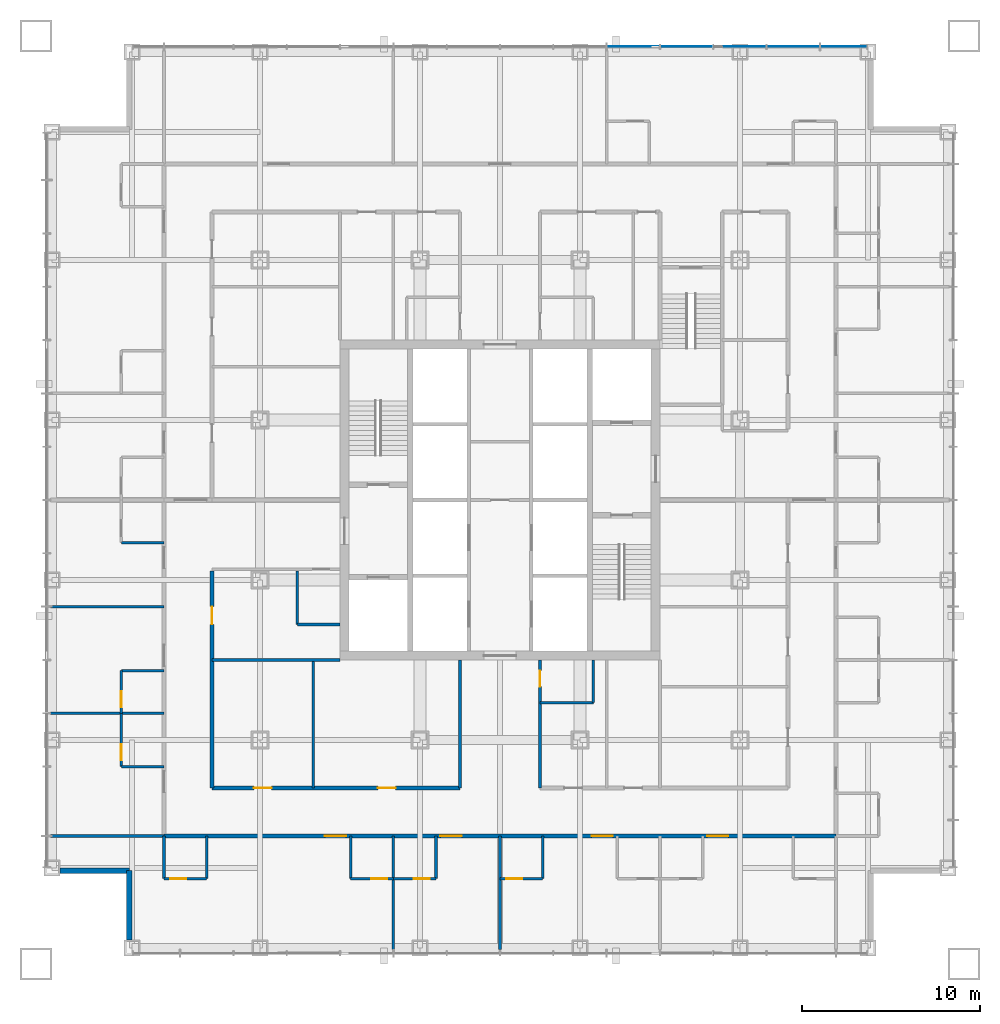
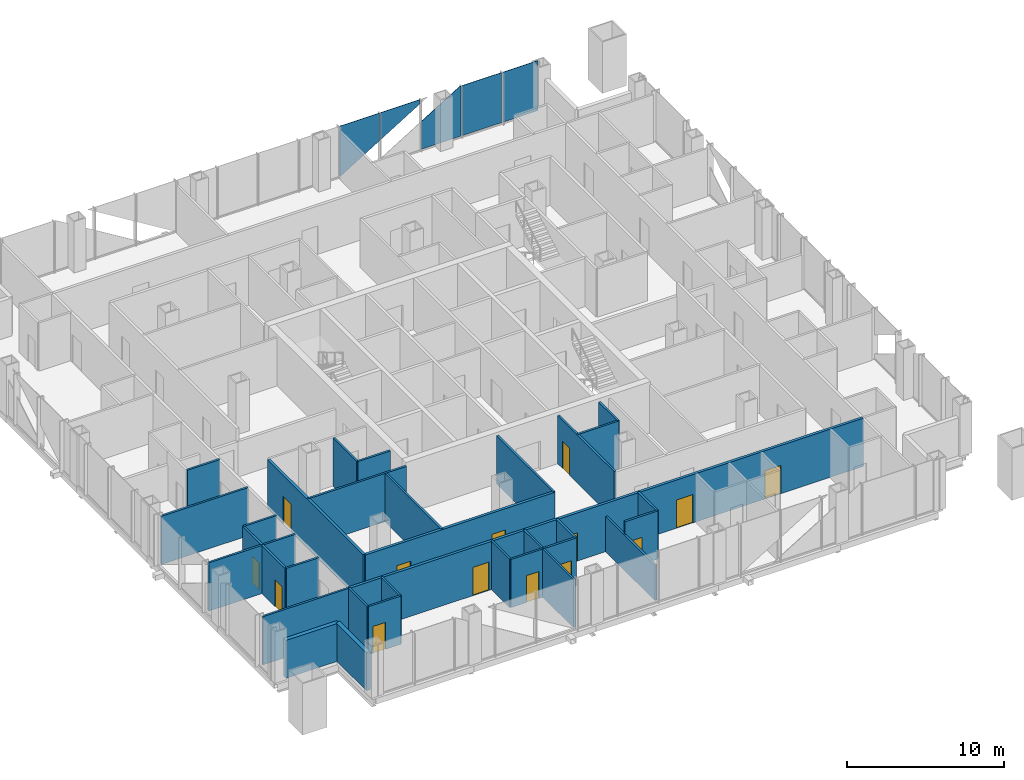
# One storey, part 7 of 17: 32 walls, 14 doors, 5 plates, 14 openings, 1 element without a shape of its own.
"""IFC4 building model written with IfcOpenShell, lengths in metres."""

from ifc_helpers import new_model, si_unit, direction, frame, frame_2d, origin, origin_2d, place, context, subcontext, project, spatial, polyline, rectangle, outline, extrude, material, layer, layer_set, type_object, element, fill, aggregate, save


model = new_model("IFC4")

# Units and contexts
model_context = context("Model", 3, precision=1e-05, world=origin(), true_north=direction((0.0, 1.0)))
body_context = subcontext(model_context, "Body", "Model", "MODEL_VIEW")
ifc_project = project(units=[si_unit("LENGTHUNIT", "METRE"), si_unit("AREAUNIT", "SQUARE_METRE"), si_unit("VOLUMEUNIT", "CUBIC_METRE"), si_unit("PLANEANGLEUNIT", "RADIAN"), si_unit("MASSUNIT", "GRAM", prefix="KILO")], contexts=[model_context])

# Site, building, storey
site_placement = place(None, origin())
site = spatial("IfcSite", under=ifc_project, at=site_placement, CompositionType="ELEMENT")
building_placement = place(site_placement, origin())
building = spatial("IfcBuilding", under=site, at=building_placement, Name="Malebo Sky Hospital", CompositionType="ELEMENT")
storey_placement = place(building_placement, frame((0.0, 0.0, 83.0)))
storey = spatial("IfcBuildingStorey", under=building, at=storey_placement, Name="L19", CompositionType="ELEMENT", Elevation=83.0)

# Curtain wall, plates
ifc_material_1 = material(Name="Anodised aluminium, natural silver", Category="aluminium")
ifc_layer_1 = layer(ifc_material_1, 0.25)
ifc_layer_set_1 = layer_set([ifc_layer_1], Name="WARD CURTAIN WALL NORTH AND SOUTH")
curtain_wall_type = type_object("IfcCurtainWallType", Name="WARD CURTAIN WALL NORTH AND SOUTH", PredefinedType="NOTDEFINED", material=ifc_layer_set_1)
curtain_wall_placement = place(storey_placement, origin())
curtain_wall = element("IfcCurtainWall", 1, at=curtain_wall_placement, inside=storey, type_object=curtain_wall_type, Name="NS curtain wall N", PredefinedType="NOTDEFINED")
ifc_material_2 = material(Name="Clear low-iron double glazing", Category="glass")
ifc_layer_2 = layer(ifc_material_2, 0.031982421875)
ifc_layer_set_2 = layer_set([ifc_layer_2], Name="VISION PANEL CLEAR 32")
plate_type = type_object("IfcPlateType", Name="VISION PANEL CLEAR 32", PredefinedType="CURTAIN_PANEL", material=ifc_layer_set_2)
plate_1_placement = place(storey_placement, frame((67.5, 87.5, 0.10009765625), z_axis=(0.0, 0.0, 1.0), x_axis=(1.0, 0.0, 0.0)))
plate_1 = element("IfcPlate", 2, at=plate_1_placement, type_object=plate_type, Name="Panel 10", PredefinedType="CURTAIN_PANEL", context=body_context, shape_type="SweptSolid", body=[
    extrude(outline(polyline([(-1.46240234375, 0.0), (-1.356201171875, 0.0), (1.46240234375, 1.72802734375), (1.46240234375, 3.889892578125), (-1.46240234375, 3.889892578125), (-1.46240234375, 0.0)])), frame((0.0, 0.01611328125, 0.0), z_axis=(0.0, -1.0, 0.0), x_axis=(1.0, 0.0, 0.0)), (0.0, 0.0, 1.0), 0.031982421875),
])
plate_2_placement = place(storey_placement, frame((70.5, 87.5, 1.8740234375), z_axis=(0.0, 0.0, 1.0), x_axis=(1.0, 0.0, 0.0)))
plate_2 = element("IfcPlate", 3, at=plate_2_placement, type_object=plate_type, Name="Panel 11", PredefinedType="CURTAIN_PANEL", context=body_context, shape_type="SweptSolid", body=[
    extrude(outline(polyline([(-1.46240234375, 0.0), (1.46240234375, 1.793212890625), (1.46240234375, 2.115966796875), (-1.46240234375, 2.115966796875), (-1.46240234375, 0.0)])), frame((0.0, 0.01611328125, 0.0), z_axis=(0.0, -1.0, 0.0), x_axis=(1.0, 0.0, 0.0)), (0.0, 0.0, 1.0), 0.031982421875),
])
plate_3_placement = place(storey_placement, frame((73.5, 87.5, 0.10009765625), z_axis=(0.0, 0.0, 1.0), x_axis=(1.0, 0.0, 0.0)))
plate_3 = element("IfcPlate", 4, at=plate_3_placement, type_object=plate_type, Name="Panel 12", PredefinedType="CURTAIN_PANEL", context=body_context, shape_type="SweptSolid", body=[
    extrude(outline(polyline([(-1.46240234375, 0.0), (1.46240234375, 0.0), (1.46240234375, 3.889892578125), (1.3828125, 3.889892578125), (-1.46240234375, 2.145751953125), (-1.46240234375, 0.0)])), frame((0.0, 0.01611328125, 0.0), z_axis=(0.0, -1.0, 0.0), x_axis=(1.0, 0.0, 0.0)), (0.0, 0.0, 1.0), 0.031982421875),
])
plate_4_placement = place(storey_placement, frame((76.5, 87.5, 0.10009765625), z_axis=(0.0, 0.0, 1.0), x_axis=(1.0, 0.0, 0.0)))
plate_4 = element("IfcPlate", 5, at=plate_4_placement, type_object=plate_type, Name="Panel 13", PredefinedType="CURTAIN_PANEL", context=body_context, shape_type="SweptSolid", body=[
    extrude(rectangle(XDim=2.925048828125, YDim=0.031982421875, at=origin_2d()), origin(), (0.0, 0.0, 1.0), 3.889892578125),
])
plate_5_placement = place(storey_placement, frame((79.331298828125, 87.5, 0.10009765625), z_axis=(0.0, 0.0, 1.0), x_axis=(1.0, 0.0, 0.0)))
plate_5 = element("IfcPlate", 6, at=plate_5_placement, type_object=plate_type, Name="Panel 14", PredefinedType="CURTAIN_PANEL", context=body_context, shape_type="SweptSolid", body=[
    extrude(rectangle(XDim=2.58740234375, YDim=0.031982421875, at=origin_2d()), origin(), (0.0, 0.0, 1.0), 3.889892578125),
])
aggregate(curtain_wall, [plate_1, plate_2, plate_3, plate_4, plate_5])

# Wall, opening, door
ifc_material_3 = material(Name="Gypsum board on steel studs", Category="steel")
ifc_layer_3 = layer(ifc_material_3, 0.199951171875)
ifc_layer_set_3 = layer_set([ifc_layer_3], Name="CORRIDOR WALL 200")
wall_type_1 = type_object("IfcWallType", Name="CORRIDOR WALL 200", PredefinedType="PARTITIONING", material=ifc_layer_set_3)
wall_1_placement = place(storey_placement, frame((43.800048828125, 45.800048828125, 0.0), z_axis=(0.0, 0.0, 1.0), x_axis=(0.0, 1.0, 0.0)))
wall_1 = element("IfcWall", 7, at=wall_1_placement, inside=storey, type_object=wall_type_1, Name="Corridor Wall 200 WCI1", PredefinedType="PARTITIONING", context=body_context, shape_type="SweptSolid", body=[
    extrude(rectangle(XDim=12.199951171875, YDim=0.199951171875, at=frame_2d((6.10009765625, 0.0))), origin(), (0.0, 0.0, 1.0), 3.75),
])
opening_1_placement = place(wall_1_placement, frame((9.199951171875, 0.0, 0.0)))
opening_1 = element("IfcOpeningElement", 8, at=opening_1_placement, cuts=wall_1, Name="Opening D03", PredefinedType="OPENING", context=body_context, shape_type="SweptSolid", body=[
    extrude(rectangle(XDim=1.0, YDim=2.10009765625, at=frame_2d((0.5, 1.050048828125))), frame((0.0, 0.10986328125, 0.0), z_axis=(0.0, -1.0, 0.0), x_axis=(1.0, 0.0, 0.0)), (0.0, 0.0, 1.0), 0.219970703125),
])
ifc_material_4 = material(Name="Hardwood-faced door leaf in steel frame", Category="steel")
door_type_1 = type_object("IfcDoorType", Name="ROOM DOOR 1000", OperationType="SINGLE_SWING_LEFT", PredefinedType="DOOR", material=ifc_material_4)
door_1_placement = place(opening_1_placement, origin())
door_1 = element("IfcDoor", 9, at=door_1_placement, inside=storey, type_object=door_type_1, Name="Ward office door", OperationType="SINGLE_SWING_LEFT", OverallHeight=2.10009765625, OverallWidth=1.0, PredefinedType="DOOR", context=body_context, shape_type="SweptSolid", body=[
    extrude(rectangle(XDim=1.0, YDim=2.10009765625, at=frame_2d((0.5, 1.050048828125))), frame((0.0, 0.02490234375, 0.0), z_axis=(0.0, -1.0, 0.0), x_axis=(1.0, 0.0, 0.0)), (0.0, 0.0, 1.0), 0.050048828125),
])
fill(opening_1, door_1)

# Wall, openings, doors
wall_2_placement = place(storey_placement, frame((78.89990234375, 43.10009765625, 0.0), z_axis=(0.0, 0.0, 1.0), x_axis=(-1.0, 0.0, 0.0)))
wall_2 = element("IfcWall", 10, at=wall_2_placement, inside=storey, type_object=wall_type_1, Name="Corridor Wall 200 SCO", PredefinedType="PARTITIONING", context=body_context, shape_type="SweptSolid", body=[
    extrude(rectangle(XDim=37.7998046875, YDim=0.199951171875, at=frame_2d((18.89990234375, 0.0))), origin(), (0.0, 0.0, 1.0), 3.75),
])
opening_2_placement = place(wall_2_placement, frame((6.050048828125, 0.0, 0.0)))
opening_2 = element("IfcOpeningElement", 11, at=opening_2_placement, cuts=wall_2, Name="Opening D01", PredefinedType="OPENING", context=body_context, shape_type="SweptSolid", body=[
    extrude(rectangle(XDim=1.199951171875, YDim=2.199951171875, at=frame_2d((0.60009765625, 1.10009765625))), frame((0.0, 0.10986328125, 0.0), z_axis=(0.0, -1.0, 0.0), x_axis=(1.0, 0.0, 0.0)), (0.0, 0.0, 1.0), 0.219970703125),
])
opening_3_placement = place(wall_2_placement, frame((12.550048828125, 0.0, 0.0)))
opening_3 = element("IfcOpeningElement", 12, at=opening_3_placement, cuts=wall_2, Name="Opening D01", PredefinedType="OPENING", context=body_context, shape_type="SweptSolid", body=[
    extrude(rectangle(XDim=1.199951171875, YDim=2.199951171875, at=frame_2d((0.60009765625, 1.10009765625))), frame((0.0, 0.10986328125, 0.0), z_axis=(0.0, -1.0, 0.0), x_axis=(1.0, 0.0, 0.0)), (0.0, 0.0, 1.0), 0.219970703125),
])
opening_4_placement = place(wall_2_placement, frame((21.050048828125, 0.0, 0.0)))
opening_4 = element("IfcOpeningElement", 13, at=opening_4_placement, cuts=wall_2, Name="Opening D01", PredefinedType="OPENING", context=body_context, shape_type="SweptSolid", body=[
    extrude(rectangle(XDim=1.199951171875, YDim=2.199951171875, at=frame_2d((0.60009765625, 1.10009765625))), frame((0.0, 0.10986328125, 0.0), z_axis=(0.0, -1.0, 0.0), x_axis=(1.0, 0.0, 0.0)), (0.0, 0.0, 1.0), 0.219970703125),
])
opening_5_placement = place(wall_2_placement, frame((27.550048828125, 0.0, 0.0)))
opening_5 = element("IfcOpeningElement", 14, at=opening_5_placement, cuts=wall_2, Name="Opening D01", PredefinedType="OPENING", context=body_context, shape_type="SweptSolid", body=[
    extrude(rectangle(XDim=1.199951171875, YDim=2.199951171875, at=frame_2d((0.60009765625, 1.10009765625))), frame((0.0, 0.10986328125, 0.0), z_axis=(0.0, -1.0, 0.0), x_axis=(1.0, 0.0, 0.0)), (0.0, 0.0, 1.0), 0.219970703125),
])
door_type_2 = type_object("IfcDoorType", Name="BED DOOR 1200", OperationType="SINGLE_SWING_LEFT", PredefinedType="DOOR", material=ifc_material_4)
door_2_placement = place(opening_2_placement, origin())
door_2 = element("IfcDoor", 15, at=door_2_placement, inside=storey, type_object=door_type_2, Name="Four-bed bay door", OperationType="SINGLE_SWING_RIGHT", OverallHeight=2.199951171875, OverallWidth=1.199951171875, PredefinedType="DOOR", context=body_context, shape_type="SweptSolid", body=[
    extrude(rectangle(XDim=1.199951171875, YDim=2.199951171875, at=frame_2d((0.60009765625, 1.10009765625))), frame((0.0, 0.02490234375, 0.0), z_axis=(0.0, -1.0, 0.0), x_axis=(1.0, 0.0, 0.0)), (0.0, 0.0, 1.0), 0.050048828125),
])
fill(opening_2, door_2)
door_3_placement = place(opening_3_placement, origin())
door_3 = element("IfcDoor", 16, at=door_3_placement, inside=storey, type_object=door_type_2, Name="Four-bed bay door", OperationType="SINGLE_SWING_LEFT", OverallHeight=2.199951171875, OverallWidth=1.199951171875, PredefinedType="DOOR", context=body_context, shape_type="SweptSolid", body=[
    extrude(rectangle(XDim=1.199951171875, YDim=2.199951171875, at=frame_2d((0.60009765625, 1.10009765625))), frame((0.0, 0.02490234375, 0.0), z_axis=(0.0, -1.0, 0.0), x_axis=(1.0, 0.0, 0.0)), (0.0, 0.0, 1.0), 0.050048828125),
])
fill(opening_3, door_3)
door_4_placement = place(opening_4_placement, origin())
door_4 = element("IfcDoor", 17, at=door_4_placement, inside=storey, type_object=door_type_2, Name="Single bed room door", OperationType="SINGLE_SWING_RIGHT", OverallHeight=2.199951171875, OverallWidth=1.199951171875, PredefinedType="DOOR", context=body_context, shape_type="SweptSolid", body=[
    extrude(rectangle(XDim=1.199951171875, YDim=2.199951171875, at=frame_2d((0.60009765625, 1.10009765625))), frame((0.0, 0.02490234375, 0.0), z_axis=(0.0, -1.0, 0.0), x_axis=(1.0, 0.0, 0.0)), (0.0, 0.0, 1.0), 0.050048828125),
])
fill(opening_4, door_4)
door_5_placement = place(opening_5_placement, origin())
door_5 = element("IfcDoor", 18, at=door_5_placement, inside=storey, type_object=door_type_2, Name="Four-bed bay door", OperationType="SINGLE_SWING_LEFT", OverallHeight=2.199951171875, OverallWidth=1.199951171875, PredefinedType="DOOR", context=body_context, shape_type="SweptSolid", body=[
    extrude(rectangle(XDim=1.199951171875, YDim=2.199951171875, at=frame_2d((0.60009765625, 1.10009765625))), frame((0.0, 0.02490234375, 0.0), z_axis=(0.0, -1.0, 0.0), x_axis=(1.0, 0.0, 0.0)), (0.0, 0.0, 1.0), 0.050048828125),
])
fill(opening_5, door_5)

wall_3_placement = place(storey_placement, frame((57.75, 45.800048828125, 0.0), z_axis=(0.0, 0.0, 1.0), x_axis=(-1.0, 0.0, 0.0)))
wall_3 = element("IfcWall", 19, at=wall_3_placement, inside=storey, type_object=wall_type_1, Name="Corridor Wall 200 SCI2", PredefinedType="PARTITIONING", context=body_context, shape_type="SweptSolid", body=[
    extrude(rectangle(XDim=13.949951171875, YDim=0.199951171875, at=frame_2d((6.97509765625, 0.0))), origin(), (0.0, 0.0, 1.0), 3.75),
])
opening_6_placement = place(wall_3_placement, frame((3.625, 0.0, 0.0)))
opening_6 = element("IfcOpeningElement", 20, at=opening_6_placement, cuts=wall_3, Name="Opening D03", PredefinedType="OPENING", context=body_context, shape_type="SweptSolid", body=[
    extrude(rectangle(XDim=1.0, YDim=2.10009765625, at=frame_2d((0.5, 1.050048828125))), frame((0.0, 0.10986328125, 0.0), z_axis=(0.0, -1.0, 0.0), x_axis=(1.0, 0.0, 0.0)), (0.0, 0.0, 1.0), 0.219970703125),
])
opening_7_placement = place(wall_3_placement, frame((10.60009765625, 0.0, 0.0)))
opening_7 = element("IfcOpeningElement", 21, at=opening_7_placement, cuts=wall_3, Name="Opening D03", PredefinedType="OPENING", context=body_context, shape_type="SweptSolid", body=[
    extrude(rectangle(XDim=1.0, YDim=2.10009765625, at=frame_2d((0.5, 1.050048828125))), frame((0.0, 0.10986328125, 0.0), z_axis=(0.0, -1.0, 0.0), x_axis=(1.0, 0.0, 0.0)), (0.0, 0.0, 1.0), 0.219970703125),
])
door_6_placement = place(opening_6_placement, origin())
door_6 = element("IfcDoor", 22, at=door_6_placement, inside=storey, type_object=door_type_1, Name="Nurse station door", OperationType="SINGLE_SWING_LEFT", OverallHeight=2.10009765625, OverallWidth=1.0, PredefinedType="DOOR", context=body_context, shape_type="SweptSolid", body=[
    extrude(rectangle(XDim=1.0, YDim=2.10009765625, at=frame_2d((0.5, 1.050048828125))), frame((0.0, 0.02490234375, 0.0), z_axis=(0.0, -1.0, 0.0), x_axis=(1.0, 0.0, 0.0)), (0.0, 0.0, 1.0), 0.050048828125),
])
fill(opening_6, door_6)
door_7_placement = place(opening_7_placement, origin())
door_7 = element("IfcDoor", 23, at=door_7_placement, inside=storey, type_object=door_type_1, Name="Speech therapy room door", OperationType="SINGLE_SWING_RIGHT", OverallHeight=2.10009765625, OverallWidth=1.0, PredefinedType="DOOR", context=body_context, shape_type="SweptSolid", body=[
    extrude(rectangle(XDim=1.0, YDim=2.10009765625, at=frame_2d((0.5, 1.050048828125))), frame((0.0, 0.02490234375, 0.0), z_axis=(0.0, -1.0, 0.0), x_axis=(1.0, 0.0, 0.0)), (0.0, 0.0, 1.0), 0.050048828125),
])
fill(opening_7, door_7)

# Walls
ifc_material_5 = material(Name="Anodised aluminium rainscreen on steel framing", Category="steel")
ifc_layer_4 = layer(ifc_material_5, 0.300048828125)
ifc_layer_set_4 = layer_set([ifc_layer_4], Name="NOTCH RAINSCREEN WALL 300")
wall_type_2 = type_object("IfcWallType", Name="NOTCH RAINSCREEN WALL 300", PredefinedType="ELEMENTEDWALL", material=ifc_layer_set_4)
for number, where, z_axis, x_axis, name in (
    (24, (39.14990234375, 37.25, 0.0), (0.0, 0.0, 1.0), (0.0, 1.0, 0.0), "Notch rainscreen wall S1 L19"),
    (25, (39.14990234375, 41.14990234375, 0.0), (0.0, 0.0, 1.0), (-1.0, 0.0, 0.0), "Notch rainscreen wall S2 L19"),
):
    element("IfcWall", number, at=place(storey_placement, frame(where, z_axis=z_axis, x_axis=x_axis)), inside=storey, type_object=wall_type_2, Name=name, PredefinedType="ELEMENTEDWALL", context=body_context, shape_type="SweptSolid", body=[
        extrude(rectangle(XDim=3.89990234375, YDim=0.300048828125, at=frame_2d((1.949951171875, 0.0))), origin(), (0.0, 0.0, 1.0), 2.949951171875),
    ])
ifc_layer_5 = layer(ifc_material_3, 0.14990234375)
ifc_layer_set_5 = layer_set([ifc_layer_5], Name="PARTITION 150")
wall_type_3 = type_object("IfcWallType", Name="PARTITION 150", PredefinedType="PARTITIONING", material=ifc_layer_set_5)
for number, where, z_axis, x_axis, name in (
    (26, (41.10009765625, 50.0, 0.0), (0.0, 0.0, 1.0), (-1.0, 0.0, 0.0), "Partition 150 WP-12.0"),
    (27, (41.10009765625, 56.0, 0.0), (0.0, 0.0, 1.0), (-1.0, 0.0, 0.0), "Partition 150 WP-6.0"),
    (28, (41.10009765625, 43.10009765625, 0.0), (0.0, 0.0, 1.0), (-1.0, 0.0, 0.0), "Partition 150 WP0"),
):
    element("IfcWall", number, at=place(storey_placement, frame(where, z_axis=z_axis, x_axis=x_axis)), inside=storey, type_object=wall_type_3, Name=name, PredefinedType="PARTITIONING", context=body_context, shape_type="SweptSolid", body=[
        extrude(rectangle(XDim=6.375, YDim=0.14990234375, at=frame_2d((3.1875, 0.0))), origin(), (0.0, 0.0, 1.0), 3.75),
    ])

# Wall, opening, door
wall_4_placement = place(storey_placement, frame((38.699951171875, 47.0, 0.0), z_axis=(0.0, 0.0, 1.0), x_axis=(0.0, 1.0, 0.0)))
wall_4 = element("IfcWall", 29, at=wall_4_placement, inside=storey, type_object=wall_type_3, Name="Partition 150 WE0F", PredefinedType="PARTITIONING", context=body_context, shape_type="SweptSolid", body=[
    extrude(rectangle(XDim=3.0, YDim=0.14990234375, at=frame_2d((1.5, 0.0))), origin(), (0.0, 0.0, 1.0), 3.75),
])
opening_8_placement = place(wall_4_placement, frame((0.35009765625, 0.0, 0.0)))
opening_8 = element("IfcOpeningElement", 30, at=opening_8_placement, cuts=wall_4, Name="Opening D02", PredefinedType="OPENING", context=body_context, shape_type="SweptSolid", body=[
    extrude(rectangle(XDim=0.89990234375, YDim=2.10009765625, at=frame_2d((0.449951171875, 1.050048828125))), frame((0.0, 0.0849609375, 0.0), z_axis=(0.0, -1.0, 0.0), x_axis=(1.0, 0.0, 0.0)), (0.0, 0.0, 1.0), 0.169921875),
])
door_type_3 = type_object("IfcDoorType", Name="EN-SUITE DOOR 900", OperationType="SINGLE_SWING_LEFT", PredefinedType="DOOR", material=ifc_material_4)
door_8_placement = place(opening_8_placement, origin())
door_8 = element("IfcDoor", 31, at=door_8_placement, inside=storey, type_object=door_type_3, Name="En-suite door", OperationType="SINGLE_SWING_LEFT", OverallHeight=2.10009765625, OverallWidth=0.89990234375, PredefinedType="DOOR", context=body_context, shape_type="SweptSolid", body=[
    extrude(rectangle(XDim=0.89990234375, YDim=2.10009765625, at=frame_2d((0.449951171875, 1.050048828125))), frame((0.0, 0.02490234375, 0.0), z_axis=(0.0, -1.0, 0.0), x_axis=(1.0, 0.0, 0.0)), (0.0, 0.0, 1.0), 0.050048828125),
])
fill(opening_8, door_8)

# Wall
wall_5_placement = place(storey_placement, frame((41.10009765625, 47.0, 0.0), z_axis=(0.0, 0.0, 1.0), x_axis=(-1.0, 0.0, 0.0)))
element("IfcWall", 32, at=wall_5_placement, inside=storey, type_object=wall_type_3, Name="Partition 150 WE0S", PredefinedType="PARTITIONING", context=body_context, shape_type="SweptSolid", body=[
    extrude(rectangle(XDim=2.400146484375, YDim=0.14990234375, at=frame_2d((1.2001953125, 0.0))), origin(), (0.0, 0.0, 1.0), 3.75),
])

# Wall, opening, door
wall_6_placement = place(storey_placement, frame((38.699951171875, 50.0, 0.0), z_axis=(0.0, 0.0, 1.0), x_axis=(0.0, 1.0, 0.0)))
wall_6 = element("IfcWall", 33, at=wall_6_placement, inside=storey, type_object=wall_type_3, Name="Partition 150 WE1F", PredefinedType="PARTITIONING", context=body_context, shape_type="SweptSolid", body=[
    extrude(rectangle(XDim=2.39990234375, YDim=0.14990234375, at=frame_2d((1.199951171875, 0.0))), origin(), (0.0, 0.0, 1.0), 3.75),
])
opening_9_placement = place(wall_6_placement, frame((0.35009765625, 0.0, 0.0)))
opening_9 = element("IfcOpeningElement", 34, at=opening_9_placement, cuts=wall_6, Name="Opening D02", PredefinedType="OPENING", context=body_context, shape_type="SweptSolid", body=[
    extrude(rectangle(XDim=0.89990234375, YDim=2.10009765625, at=frame_2d((0.449951171875, 1.050048828125))), frame((0.0, 0.0849609375, 0.0), z_axis=(0.0, -1.0, 0.0), x_axis=(1.0, 0.0, 0.0)), (0.0, 0.0, 1.0), 0.169921875),
])
door_9_placement = place(opening_9_placement, origin())
door_9 = element("IfcDoor", 35, at=door_9_placement, inside=storey, type_object=door_type_3, Name="En-suite door", OperationType="SINGLE_SWING_LEFT", OverallHeight=2.10009765625, OverallWidth=0.89990234375, PredefinedType="DOOR", context=body_context, shape_type="SweptSolid", body=[
    extrude(rectangle(XDim=0.89990234375, YDim=2.10009765625, at=frame_2d((0.449951171875, 1.050048828125))), frame((0.0, 0.02490234375, 0.0), z_axis=(0.0, -1.0, 0.0), x_axis=(1.0, 0.0, 0.0)), (0.0, 0.0, 1.0), 0.050048828125),
])
fill(opening_9, door_9)

# Walls
for number, where, z_axis, x_axis, name in (
    (36, (41.10009765625, 52.39990234375, 0.0), (0.0, 0.0, 1.0), (-1.0, 0.0, 0.0), "Partition 150 WE1S"),
    (37, (41.10009765625, 59.60009765625, 0.0), (0.0, 0.0, 1.0), (-1.0, 0.0, 0.0), "Partition 150 WE2S"),
):
    element("IfcWall", number, at=place(storey_placement, frame(where, z_axis=z_axis, x_axis=x_axis)), inside=storey, type_object=wall_type_3, Name=name, PredefinedType="PARTITIONING", context=body_context, shape_type="SweptSolid", body=[
        extrude(rectangle(XDim=2.400146484375, YDim=0.14990234375, at=frame_2d((1.2001953125, 0.0))), origin(), (0.0, 0.0, 1.0), 3.75),
    ])
wall_7_placement = place(storey_placement, frame((51.0, 53.0, 0.0), z_axis=(0.0, 0.0, 1.0), x_axis=(-1.0, 0.0, 0.0)))
element("IfcWall", 38, at=wall_7_placement, inside=storey, type_object=wall_type_3, Name="Partition 150 WSP0", PredefinedType="PARTITIONING", context=body_context, shape_type="SweptSolid", body=[
    extrude(rectangle(XDim=7.199951171875, YDim=0.14990234375, at=frame_2d((3.60009765625, 0.0))), origin(), (0.0, 0.0, 1.0), 3.75),
])
wall_8_placement = place(storey_placement, frame((48.60009765625, 55.0, 0.0), z_axis=(0.0, 0.0, 1.0), x_axis=(0.0, 1.0, 0.0)))
element("IfcWall", 39, at=wall_8_placement, inside=storey, type_object=wall_type_3, Name="Partition 150 WSX0", PredefinedType="PARTITIONING", context=body_context, shape_type="SweptSolid", body=[
    extrude(rectangle(XDim=3.0, YDim=0.14990234375, at=frame_2d((1.5, 0.0))), origin(), (0.0, 0.0, 1.0), 3.75),
])
wall_9_placement = place(storey_placement, frame((51.0, 55.0, 0.0), z_axis=(0.0, 0.0, 1.0), x_axis=(-1.0, 0.0, 0.0)))
element("IfcWall", 40, at=wall_9_placement, inside=storey, type_object=wall_type_3, Name="Partition 150 WSY0", PredefinedType="PARTITIONING", context=body_context, shape_type="SweptSolid", body=[
    extrude(rectangle(XDim=2.39990234375, YDim=0.14990234375, at=frame_2d((1.199951171875, 0.0))), origin(), (0.0, 0.0, 1.0), 3.75),
])
wall_10_placement = place(storey_placement, frame((60.0, 43.10009765625, 0.0), z_axis=(0.0, 0.0, 1.0), x_axis=(0.0, -1.0, 0.0)))
element("IfcWall", 41, at=wall_10_placement, inside=storey, type_object=wall_type_3, Name="Partition 150 SP+0.0", PredefinedType="PARTITIONING", context=body_context, shape_type="SweptSolid", body=[
    extrude(rectangle(XDim=6.375, YDim=0.14990234375, at=frame_2d((3.1875, 0.0))), origin(), (0.0, 0.0, 1.0), 2.75),
])
wall_11_placement = place(storey_placement, frame((54.0, 43.10009765625, 0.0), z_axis=(0.0, 0.0, 1.0), x_axis=(0.0, -1.0, 0.0)))
element("IfcWall", 42, at=wall_11_placement, inside=storey, type_object=wall_type_3, Name="Partition 150 SP+6.0", PredefinedType="PARTITIONING", context=body_context, shape_type="SweptSolid", body=[
    extrude(rectangle(XDim=6.375, YDim=0.14990234375, at=frame_2d((3.1875, 0.0))), origin(), (0.0, 0.0, 1.0), 3.75),
])

# Wall, opening, door
wall_12_placement = place(storey_placement, frame((62.39990234375, 40.699951171875, 0.0), z_axis=(0.0, 0.0, 1.0), x_axis=(-1.0, 0.0, 0.0)))
wall_12 = element("IfcWall", 43, at=wall_12_placement, inside=storey, type_object=wall_type_3, Name="Partition 150 SG1F", PredefinedType="PARTITIONING", context=body_context, shape_type="SweptSolid", body=[
    extrude(rectangle(XDim=2.39990234375, YDim=0.14990234375, at=frame_2d((1.199951171875, 0.0))), origin(), (0.0, 0.0, 1.0), 3.75),
])
opening_10_placement = place(wall_12_placement, frame((1.14990234375, 0.0, 0.0)))
opening_10 = element("IfcOpeningElement", 44, at=opening_10_placement, cuts=wall_12, Name="Opening D02", PredefinedType="OPENING", context=body_context, shape_type="SweptSolid", body=[
    extrude(rectangle(XDim=0.89990234375, YDim=2.10009765625, at=frame_2d((0.449951171875, 1.050048828125))), frame((0.0, 0.0849609375, 0.0), z_axis=(0.0, -1.0, 0.0), x_axis=(1.0, 0.0, 0.0)), (0.0, 0.0, 1.0), 0.169921875),
])
door_10_placement = place(opening_10_placement, origin())
door_10 = element("IfcDoor", 45, at=door_10_placement, inside=storey, type_object=door_type_3, Name="En-suite door", OperationType="SINGLE_SWING_RIGHT", OverallHeight=2.10009765625, OverallWidth=0.89990234375, PredefinedType="DOOR", context=body_context, shape_type="SweptSolid", body=[
    extrude(rectangle(XDim=0.89990234375, YDim=2.10009765625, at=frame_2d((0.449951171875, 1.050048828125))), frame((0.0, 0.02490234375, 0.0), z_axis=(0.0, -1.0, 0.0), x_axis=(1.0, 0.0, 0.0)), (0.0, 0.0, 1.0), 0.050048828125),
])
fill(opening_10, door_10)

# Wall
wall_13_placement = place(storey_placement, frame((62.39990234375, 43.10009765625, 0.0), z_axis=(0.0, 0.0, 1.0), x_axis=(0.0, -1.0, 0.0)))
element("IfcWall", 46, at=wall_13_placement, inside=storey, type_object=wall_type_3, Name="Partition 150 SG1S", PredefinedType="PARTITIONING", context=body_context, shape_type="SweptSolid", body=[
    extrude(rectangle(XDim=2.400146484375, YDim=0.14990234375, at=frame_2d((1.2001953125, 0.0))), origin(), (0.0, 0.0, 1.0), 3.75),
])

# Wall, opening, door
wall_14_placement = place(storey_placement, frame((56.39990234375, 40.699951171875, 0.0), z_axis=(0.0, 0.0, 1.0), x_axis=(-1.0, 0.0, 0.0)))
wall_14 = element("IfcWall", 47, at=wall_14_placement, inside=storey, type_object=wall_type_3, Name="Partition 150 SE2F", PredefinedType="PARTITIONING", context=body_context, shape_type="SweptSolid", body=[
    extrude(rectangle(XDim=2.39990234375, YDim=0.14990234375, at=frame_2d((1.199951171875, 0.0))), origin(), (0.0, 0.0, 1.0), 3.75),
])
opening_11_placement = place(wall_14_placement, frame((0.35009765625, 0.0, 0.0)))
opening_11 = element("IfcOpeningElement", 48, at=opening_11_placement, cuts=wall_14, Name="Opening D02", PredefinedType="OPENING", context=body_context, shape_type="SweptSolid", body=[
    extrude(rectangle(XDim=0.89990234375, YDim=2.10009765625, at=frame_2d((0.449951171875, 1.050048828125))), frame((0.0, 0.0849609375, 0.0), z_axis=(0.0, -1.0, 0.0), x_axis=(1.0, 0.0, 0.0)), (0.0, 0.0, 1.0), 0.169921875),
])
door_11_placement = place(opening_11_placement, origin())
door_11 = element("IfcDoor", 49, at=door_11_placement, inside=storey, type_object=door_type_3, Name="En-suite door", OperationType="SINGLE_SWING_LEFT", OverallHeight=2.10009765625, OverallWidth=0.89990234375, PredefinedType="DOOR", context=body_context, shape_type="SweptSolid", body=[
    extrude(rectangle(XDim=0.89990234375, YDim=2.10009765625, at=frame_2d((0.449951171875, 1.050048828125))), frame((0.0, 0.02490234375, 0.0), z_axis=(0.0, -1.0, 0.0), x_axis=(1.0, 0.0, 0.0)), (0.0, 0.0, 1.0), 0.050048828125),
])
fill(opening_11, door_11)

# Wall
wall_15_placement = place(storey_placement, frame((56.39990234375, 43.10009765625, 0.0), z_axis=(0.0, 0.0, 1.0), x_axis=(0.0, -1.0, 0.0)))
element("IfcWall", 50, at=wall_15_placement, inside=storey, type_object=wall_type_3, Name="Partition 150 SE2S", PredefinedType="PARTITIONING", context=body_context, shape_type="SweptSolid", body=[
    extrude(rectangle(XDim=2.400146484375, YDim=0.14990234375, at=frame_2d((1.2001953125, 0.0))), origin(), (0.0, 0.0, 1.0), 3.75),
])

# Wall, opening, door
wall_16_placement = place(storey_placement, frame((54.0, 40.699951171875, 0.0), z_axis=(0.0, 0.0, 1.0), x_axis=(-1.0, 0.0, 0.0)))
wall_16 = element("IfcWall", 51, at=wall_16_placement, inside=storey, type_object=wall_type_3, Name="Partition 150 SE3F", PredefinedType="PARTITIONING", context=body_context, shape_type="SweptSolid", body=[
    extrude(rectangle(XDim=2.39990234375, YDim=0.14990234375, at=frame_2d((1.199951171875, 0.0))), origin(), (0.0, 0.0, 1.0), 3.75),
])
opening_12_placement = place(wall_16_placement, frame((0.35009765625, 0.0, 0.0)))
opening_12 = element("IfcOpeningElement", 52, at=opening_12_placement, cuts=wall_16, Name="Opening D02", PredefinedType="OPENING", context=body_context, shape_type="SweptSolid", body=[
    extrude(rectangle(XDim=0.89990234375, YDim=2.10009765625, at=frame_2d((0.449951171875, 1.050048828125))), frame((0.0, 0.0849609375, 0.0), z_axis=(0.0, -1.0, 0.0), x_axis=(1.0, 0.0, 0.0)), (0.0, 0.0, 1.0), 0.169921875),
])
door_12_placement = place(opening_12_placement, origin())
door_12 = element("IfcDoor", 53, at=door_12_placement, inside=storey, type_object=door_type_3, Name="En-suite door", OperationType="SINGLE_SWING_LEFT", OverallHeight=2.10009765625, OverallWidth=0.89990234375, PredefinedType="DOOR", context=body_context, shape_type="SweptSolid", body=[
    extrude(rectangle(XDim=0.89990234375, YDim=2.10009765625, at=frame_2d((0.449951171875, 1.050048828125))), frame((0.0, 0.02490234375, 0.0), z_axis=(0.0, -1.0, 0.0), x_axis=(1.0, 0.0, 0.0)), (0.0, 0.0, 1.0), 0.050048828125),
])
fill(opening_12, door_12)

# Wall
wall_17_placement = place(storey_placement, frame((51.60009765625, 43.10009765625, 0.0), z_axis=(0.0, 0.0, 1.0), x_axis=(0.0, -1.0, 0.0)))
element("IfcWall", 54, at=wall_17_placement, inside=storey, type_object=wall_type_3, Name="Partition 150 SE3S", PredefinedType="PARTITIONING", context=body_context, shape_type="SweptSolid", body=[
    extrude(rectangle(XDim=2.400146484375, YDim=0.14990234375, at=frame_2d((1.2001953125, 0.0))), origin(), (0.0, 0.0, 1.0), 3.75),
])

# Wall, opening, door
wall_18_placement = place(storey_placement, frame((43.5, 40.699951171875, 0.0), z_axis=(0.0, 0.0, 1.0), x_axis=(-1.0, 0.0, 0.0)))
wall_18 = element("IfcWall", 55, at=wall_18_placement, inside=storey, type_object=wall_type_3, Name="Partition 150 SG3F", PredefinedType="PARTITIONING", context=body_context, shape_type="SweptSolid", body=[
    extrude(rectangle(XDim=2.39990234375, YDim=0.14990234375, at=frame_2d((1.199951171875, 0.0))), origin(), (0.0, 0.0, 1.0), 3.75),
])
opening_13_placement = place(wall_18_placement, frame((1.14990234375, 0.0, 0.0)))
opening_13 = element("IfcOpeningElement", 56, at=opening_13_placement, cuts=wall_18, Name="Opening D02", PredefinedType="OPENING", context=body_context, shape_type="SweptSolid", body=[
    extrude(rectangle(XDim=0.89990234375, YDim=2.10009765625, at=frame_2d((0.449951171875, 1.050048828125))), frame((0.0, 0.0849609375, 0.0), z_axis=(0.0, -1.0, 0.0), x_axis=(1.0, 0.0, 0.0)), (0.0, 0.0, 1.0), 0.169921875),
])
door_13_placement = place(opening_13_placement, origin())
door_13 = element("IfcDoor", 57, at=door_13_placement, inside=storey, type_object=door_type_3, Name="En-suite door", OperationType="SINGLE_SWING_RIGHT", OverallHeight=2.10009765625, OverallWidth=0.89990234375, PredefinedType="DOOR", context=body_context, shape_type="SweptSolid", body=[
    extrude(rectangle(XDim=0.89990234375, YDim=2.10009765625, at=frame_2d((0.449951171875, 1.050048828125))), frame((0.0, 0.02490234375, 0.0), z_axis=(0.0, -1.0, 0.0), x_axis=(1.0, 0.0, 0.0)), (0.0, 0.0, 1.0), 0.050048828125),
])
fill(opening_13, door_13)

# Walls
for number, where, z_axis, x_axis, name in (
    (58, (43.5, 43.10009765625, 0.0), (0.0, 0.0, 1.0), (0.0, -1.0, 0.0), "Partition 150 SG3S"),
    (59, (41.10009765625, 43.10009765625, 0.0), (0.0, 0.0, 1.0), (0.0, -1.0, 0.0), "Partition 150 SEZ"),
):
    element("IfcWall", number, at=place(storey_placement, frame(where, z_axis=z_axis, x_axis=x_axis)), inside=storey, type_object=wall_type_3, Name=name, PredefinedType="PARTITIONING", context=body_context, shape_type="SweptSolid", body=[
        extrude(rectangle(XDim=2.400146484375, YDim=0.14990234375, at=frame_2d((1.2001953125, 0.0))), origin(), (0.0, 0.0, 1.0), 3.75),
    ])

# Wall, opening, door
wall_19_placement = place(storey_placement, frame((62.25, 53.0, 0.0), z_axis=(0.0, 0.0, 1.0), x_axis=(0.0, -1.0, 0.0)))
wall_19 = element("IfcWall", 60, at=wall_19_placement, inside=storey, type_object=wall_type_3, Name="Partition 150 SSPA", PredefinedType="PARTITIONING", context=body_context, shape_type="SweptSolid", body=[
    extrude(rectangle(XDim=7.199951171875, YDim=0.14990234375, at=frame_2d((3.60009765625, 0.0))), origin(), (0.0, 0.0, 1.0), 3.75),
])
opening_14_placement = place(wall_19_placement, frame((0.60009765625, 0.0, 0.0)))
opening_14 = element("IfcOpeningElement", 61, at=opening_14_placement, cuts=wall_19, Name="Opening D04", PredefinedType="OPENING", context=body_context, shape_type="SweptSolid", body=[
    extrude(rectangle(XDim=0.89990234375, YDim=2.10009765625, at=frame_2d((0.449951171875, 1.050048828125))), frame((0.0, 0.0849609375, 0.0), z_axis=(0.0, -1.0, 0.0), x_axis=(1.0, 0.0, 0.0)), (0.0, 0.0, 1.0), 0.169921875),
])
door_type_4 = type_object("IfcDoorType", Name="ROOM DOOR 900", OperationType="SINGLE_SWING_LEFT", PredefinedType="DOOR", material=ifc_material_4)
door_14_placement = place(opening_14_placement, origin())
door_14 = element("IfcDoor", 62, at=door_14_placement, inside=storey, type_object=door_type_4, Name="Visitor WC door", OperationType="SINGLE_SWING_LEFT", OverallHeight=2.10009765625, OverallWidth=0.89990234375, PredefinedType="DOOR", context=body_context, shape_type="SweptSolid", body=[
    extrude(rectangle(XDim=0.89990234375, YDim=2.10009765625, at=frame_2d((0.449951171875, 1.050048828125))), frame((0.0, 0.02490234375, 0.0), z_axis=(0.0, -1.0, 0.0), x_axis=(1.0, 0.0, 0.0)), (0.0, 0.0, 1.0), 0.050048828125),
])
fill(opening_14, door_14)

# Walls
for number, where, z_axis, x_axis, name in (
    (63, (57.75, 53.0, 0.0), (0.0, 0.0, 1.0), (0.0, -1.0, 0.0), "Partition 150 SSPB"),
    (64, (49.5, 53.0, 0.0), (0.0, 0.0, 1.0), (0.0, -1.0, 0.0), "Partition 150 SSP+10.5"),
):
    element("IfcWall", number, at=place(storey_placement, frame(where, z_axis=z_axis, x_axis=x_axis)), inside=storey, type_object=wall_type_3, Name=name, PredefinedType="PARTITIONING", context=body_context, shape_type="SweptSolid", body=[
        extrude(rectangle(XDim=7.199951171875, YDim=0.14990234375, at=frame_2d((3.60009765625, 0.0))), origin(), (0.0, 0.0, 1.0), 3.75),
    ])
wall_20_placement = place(storey_placement, frame((65.25, 50.60009765625, 0.0), z_axis=(0.0, 0.0, 1.0), x_axis=(-1.0, 0.0, 0.0)))
element("IfcWall", 65, at=wall_20_placement, inside=storey, type_object=wall_type_3, Name="Partition 150 SSX1", PredefinedType="PARTITIONING", context=body_context, shape_type="SweptSolid", body=[
    extrude(rectangle(XDim=3.0, YDim=0.14990234375, at=frame_2d((1.5, 0.0))), origin(), (0.0, 0.0, 1.0), 3.75),
])
wall_21_placement = place(storey_placement, frame((65.25, 53.0, 0.0), z_axis=(0.0, 0.0, 1.0), x_axis=(0.0, -1.0, 0.0)))
element("IfcWall", 66, at=wall_21_placement, inside=storey, type_object=wall_type_3, Name="Partition 150 SSY1", PredefinedType="PARTITIONING", context=body_context, shape_type="SweptSolid", body=[
    extrude(rectangle(XDim=2.39990234375, YDim=0.14990234375, at=frame_2d((1.199951171875, 0.0))), origin(), (0.0, 0.0, 1.0), 3.75),
])

save(model, "model.ifc")
